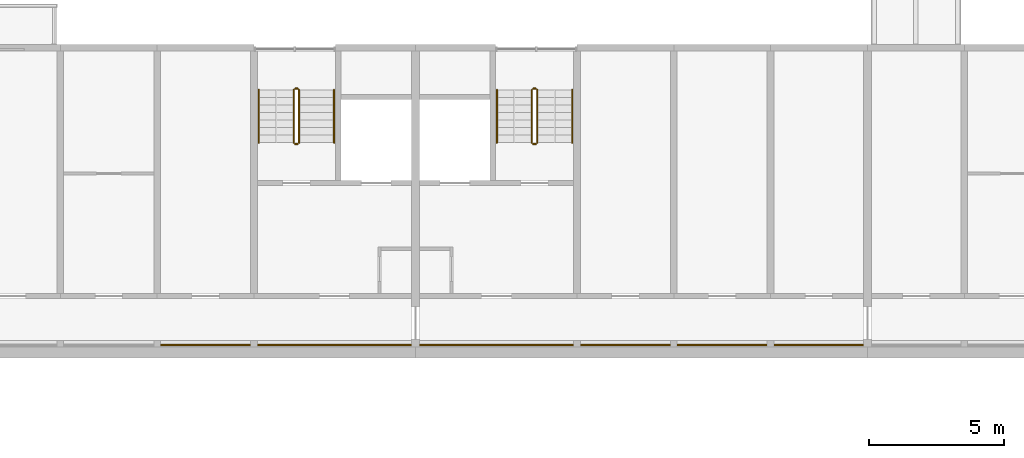
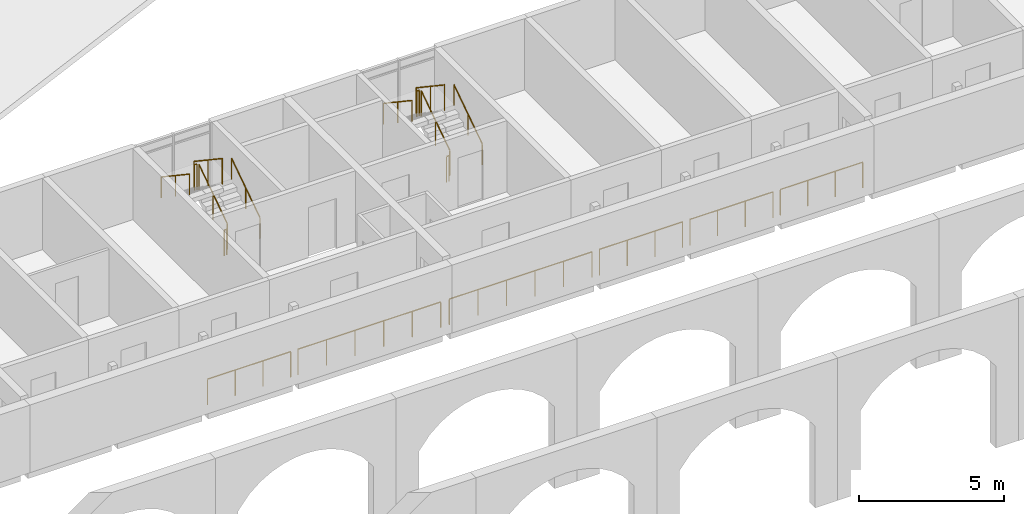
# One storey, part 102 of 122: 18 railings.
"""IFC4 building model written with IfcOpenShell, lengths in metres."""

from ifc_helpers import new_model, si_unit, direction, frame, origin, origin_2d, place, context, subcontext, project, spatial, circle, extrude, material, type_object, element, save


model = new_model("IFC4")

# Units and contexts
model_context = context("Model", 3, precision=1e-05, world=origin(), true_north=direction((0.0, 1.0)))
body_context = subcontext(model_context, "Body", "Model", "MODEL_VIEW")
ifc_project = project(units=[si_unit("LENGTHUNIT", "METRE"), si_unit("AREAUNIT", "SQUARE_METRE"), si_unit("VOLUMEUNIT", "CUBIC_METRE"), si_unit("PLANEANGLEUNIT", "RADIAN"), si_unit("MASSUNIT", "GRAM", prefix="KILO")], contexts=[model_context])

# Site, building, storey
site_placement = place(None, origin())
site = spatial("IfcSite", under=ifc_project, at=site_placement, CompositionType="ELEMENT")
building_placement = place(site_placement, origin())
building = spatial("IfcBuilding", under=site, at=building_placement, Name="Ridgestep Commons", CompositionType="ELEMENT")
storey_placement = place(building_placement, frame((0.0, 0.0, 3.0)))
storey = spatial("IfcBuildingStorey", under=building, at=storey_placement, Name="L01", CompositionType="ELEMENT", Elevation=3.0)

# Railings
ifc_material_1 = material(Name="Structural steel S355JR galvanised", Category="steel")
railing_type_1 = type_object("IfcRailingType", Name="Passage guard 1100", PredefinedType="GUARDRAIL", material=ifc_material_1)
railing_1_placement = place(storey_placement, frame((36.14599609375, 11.830078125, 0.0)))
element("IfcRailing", 1, at=railing_1_placement, inside=storey, type_object=railing_type_1, Name="Passage guard A 01.7", PredefinedType="GUARDRAIL", context=body_context, shape_type="SweptSolid", body=[
    extrude(circle(Radius=0.02392578125, at=origin_2d()), frame((0.0, 0.0, 1.076171875), z_axis=(1.0, 0.0, 0.0), x_axis=(0.0, 1.0, 0.0)), (0.0, 0.0, 1.0), 3.30810546875),
    extrude(circle(Radius=0.02099609375, at=origin_2d()), origin(), (0.0, 0.0, 1.0), 1.052001953125),
    extrude(circle(Radius=0.02099609375, at=origin_2d()), frame((1.102783203125, 0.0, 0.0)), (0.0, 0.0, 1.0), 1.052001953125),
    extrude(circle(Radius=0.02099609375, at=origin_2d()), frame((2.205322265625, 0.0, 0.0)), (0.0, 0.0, 1.0), 1.052001953125),
    extrude(circle(Radius=0.02099609375, at=origin_2d()), frame((3.30810546875, 0.0, 0.0)), (0.0, 0.0, 1.0), 1.052001953125),
])
railing_2_placement = place(storey_placement, frame((39.74609375, 11.830078125, 0.0)))
element("IfcRailing", 2, at=railing_2_placement, inside=storey, type_object=railing_type_1, Name="Passage guard A 01.8", PredefinedType="GUARDRAIL", context=body_context, shape_type="SweptSolid", body=[
    extrude(circle(Radius=0.02392578125, at=origin_2d()), frame((0.0, 0.0, 1.076171875), z_axis=(1.0, 0.0, 0.0), x_axis=(0.0, 1.0, 0.0)), (0.0, 0.0, 1.0), 5.682861328125),
    extrude(circle(Radius=0.02099609375, at=origin_2d()), origin(), (0.0, 0.0, 1.0), 1.052001953125),
    extrude(circle(Radius=0.02099609375, at=origin_2d()), frame((1.136474609375, 0.0, 0.0)), (0.0, 0.0, 1.0), 1.052001953125),
    extrude(circle(Radius=0.02099609375, at=origin_2d()), frame((2.273193359375, 0.0, 0.0)), (0.0, 0.0, 1.0), 1.052001953125),
    extrude(circle(Radius=0.02099609375, at=origin_2d()), frame((3.40966796875, 0.0, 0.0)), (0.0, 0.0, 1.0), 1.052001953125),
    extrude(circle(Radius=0.02099609375, at=origin_2d()), frame((4.54638671875, 0.0, 0.0)), (0.0, 0.0, 1.0), 1.052001953125),
    extrude(circle(Radius=0.02099609375, at=origin_2d()), frame((5.682861328125, 0.0, 0.0)), (0.0, 0.0, 1.0), 1.052001953125),
])
railing_3_placement = place(storey_placement, frame((45.77099609375, 11.830078125, 0.0)))
element("IfcRailing", 3, at=railing_3_placement, inside=storey, type_object=railing_type_1, Name="Passage guard A 01.9", PredefinedType="GUARDRAIL", context=body_context, shape_type="SweptSolid", body=[
    extrude(circle(Radius=0.02392578125, at=origin_2d()), frame((0.0, 0.0, 1.076171875), z_axis=(1.0, 0.0, 0.0), x_axis=(0.0, 1.0, 0.0)), (0.0, 0.0, 1.0), 5.68310546875),
    extrude(circle(Radius=0.02099609375, at=origin_2d()), origin(), (0.0, 0.0, 1.0), 1.052001953125),
    extrude(circle(Radius=0.02099609375, at=origin_2d()), frame((1.13671875, 0.0, 0.0)), (0.0, 0.0, 1.0), 1.052001953125),
    extrude(circle(Radius=0.02099609375, at=origin_2d()), frame((2.273193359375, 0.0, 0.0)), (0.0, 0.0, 1.0), 1.052001953125),
    extrude(circle(Radius=0.02099609375, at=origin_2d()), frame((3.409912109375, 0.0, 0.0)), (0.0, 0.0, 1.0), 1.052001953125),
    extrude(circle(Radius=0.02099609375, at=origin_2d()), frame((4.54638671875, 0.0, 0.0)), (0.0, 0.0, 1.0), 1.052001953125),
    extrude(circle(Radius=0.02099609375, at=origin_2d()), frame((5.68310546875, 0.0, 0.0)), (0.0, 0.0, 1.0), 1.052001953125),
])
railing_4_placement = place(storey_placement, frame((51.74609375, 11.830078125, 0.0)))
element("IfcRailing", 4, at=railing_4_placement, inside=storey, type_object=railing_type_1, Name="Passage guard A 01.10", PredefinedType="GUARDRAIL", context=body_context, shape_type="SweptSolid", body=[
    extrude(circle(Radius=0.02392578125, at=origin_2d()), frame((0.0, 0.0, 1.076171875), z_axis=(1.0, 0.0, 0.0), x_axis=(0.0, 1.0, 0.0)), (0.0, 0.0, 1.0), 3.307861328125),
    extrude(circle(Radius=0.02099609375, at=origin_2d()), origin(), (0.0, 0.0, 1.0), 1.052001953125),
    extrude(circle(Radius=0.02099609375, at=origin_2d()), frame((1.1025390625, 0.0, 0.0)), (0.0, 0.0, 1.0), 1.052001953125),
    extrude(circle(Radius=0.02099609375, at=origin_2d()), frame((2.205322265625, 0.0, 0.0)), (0.0, 0.0, 1.0), 1.052001953125),
    extrude(circle(Radius=0.02099609375, at=origin_2d()), frame((3.307861328125, 0.0, 0.0)), (0.0, 0.0, 1.0), 1.052001953125),
])
railing_5_placement = place(storey_placement, frame((55.345947265625, 11.830078125, 0.0)))
element("IfcRailing", 5, at=railing_5_placement, inside=storey, type_object=railing_type_1, Name="Passage guard A 01.11", PredefinedType="GUARDRAIL", context=body_context, shape_type="SweptSolid", body=[
    extrude(circle(Radius=0.02392578125, at=origin_2d()), frame((0.0, 0.0, 1.076171875), z_axis=(1.0, 0.0, 0.0), x_axis=(0.0, 1.0, 0.0)), (0.0, 0.0, 1.0), 3.30810546875),
    extrude(circle(Radius=0.02099609375, at=origin_2d()), origin(), (0.0, 0.0, 1.0), 1.052001953125),
    extrude(circle(Radius=0.02099609375, at=origin_2d()), frame((1.102783203125, 0.0, 0.0)), (0.0, 0.0, 1.0), 1.052001953125),
    extrude(circle(Radius=0.02099609375, at=origin_2d()), frame((2.205322265625, 0.0, 0.0)), (0.0, 0.0, 1.0), 1.052001953125),
    extrude(circle(Radius=0.02099609375, at=origin_2d()), frame((3.30810546875, 0.0, 0.0)), (0.0, 0.0, 1.0), 1.052001953125),
])
railing_6_placement = place(storey_placement, frame((58.946044921875, 11.830078125, 0.0)))
element("IfcRailing", 6, at=railing_6_placement, inside=storey, type_object=railing_type_1, Name="Passage guard A 01.12", PredefinedType="GUARDRAIL", context=body_context, shape_type="SweptSolid", body=[
    extrude(circle(Radius=0.02392578125, at=origin_2d()), frame((0.0, 0.0, 1.076171875), z_axis=(1.0, 0.0, 0.0), x_axis=(0.0, 1.0, 0.0)), (0.0, 0.0, 1.0), 3.282958984375),
    extrude(circle(Radius=0.02099609375, at=origin_2d()), origin(), (0.0, 0.0, 1.0), 1.052001953125),
    extrude(circle(Radius=0.02099609375, at=origin_2d()), frame((1.09423828125, 0.0, 0.0)), (0.0, 0.0, 1.0), 1.052001953125),
    extrude(circle(Radius=0.02099609375, at=origin_2d()), frame((2.188720703125, 0.0, 0.0)), (0.0, 0.0, 1.0), 1.052001953125),
    extrude(circle(Radius=0.02099609375, at=origin_2d()), frame((3.282958984375, 0.0, 0.0)), (0.0, 0.0, 1.0), 1.052001953125),
])
ifc_material_2 = material(Name="Structural steel S355JR", Category="steel")
railing_type_2 = type_object("IfcRailingType", Name="Stair guard 1100", PredefinedType="GUARDRAIL", material=ifc_material_2)
railing_7_placement = place(storey_placement, frame((41.27490234375, 19.35009765625, 0.1875)))
element("IfcRailing", 7, at=railing_7_placement, inside=storey, type_object=railing_type_2, Name="L01 A2C stair guard 1", PredefinedType="GUARDRAIL", context=body_context, shape_type="SweptSolid", body=[
    extrude(circle(Radius=0.02392578125, at=origin_2d()), frame((0.0, 0.0, 1.076171875), z_axis=(0.0, 0.830902050051, 0.556418712142), x_axis=(-1.0, 0.0, 0.0)), (0.0, 0.0, 1.0), 2.35888671875),
    extrude(circle(Radius=0.02099609375, at=origin_2d()), origin(), (0.0, 0.0, 1.0), 1.052001953125),
    extrude(circle(Radius=0.02099609375, at=origin_2d()), frame((0.0, 0.97998046875, 0.65625)), (0.0, 0.0, 1.0), 1.052001953125),
    extrude(circle(Radius=0.02099609375, at=origin_2d()), frame((0.0, 1.9599609375, 1.3125)), (0.0, 0.0, 1.0), 1.052001953125),
])
railing_8_placement = place(storey_placement, frame((41.22509765625, 21.360107421875, 1.5)))
element("IfcRailing", 8, at=railing_8_placement, inside=storey, type_object=railing_type_2, Name="L01 A2C stair guard 2", PredefinedType="GUARDRAIL", context=body_context, shape_type="SweptSolid", body=[
    extrude(circle(Radius=0.02392578125, at=origin_2d()), frame((0.0, 0.0, 1.076171875), z_axis=(-1.0, 0.0, 0.0), x_axis=(0.0, -1.0, 0.0)), (0.0, 0.0, 1.0), 0.10009765625),
    extrude(circle(Radius=0.02099609375, at=origin_2d()), origin(), (0.0, 0.0, 1.0), 1.052001953125),
    extrude(circle(Radius=0.02099609375, at=origin_2d()), frame((-0.10009765625, 0.0, 0.0)), (0.0, 0.0, 1.0), 1.052001953125),
])
railing_9_placement = place(storey_placement, frame((41.074951171875, 21.31005859375, 1.6875)))
element("IfcRailing", 9, at=railing_9_placement, inside=storey, type_object=railing_type_2, Name="L01 A2C stair guard 3", PredefinedType="GUARDRAIL", context=body_context, shape_type="SweptSolid", body=[
    extrude(circle(Radius=0.02392578125, at=origin_2d()), frame((0.0, 0.0, 1.076171875), z_axis=(0.0, -0.830902050051, 0.556418712142), x_axis=(1.0, 0.0, 0.0)), (0.0, 0.0, 1.0), 2.35888671875),
    extrude(circle(Radius=0.02099609375, at=origin_2d()), origin(), (0.0, 0.0, 1.0), 1.052001953125),
    extrude(circle(Radius=0.02099609375, at=origin_2d()), frame((0.0, -0.97998046875, 0.65625)), (0.0, 0.0, 1.0), 1.052001953125),
    extrude(circle(Radius=0.02099609375, at=origin_2d()), frame((0.0, -1.9599609375, 1.3125)), (0.0, 0.0, 1.0), 1.052001953125),
])
railing_10_placement = place(storey_placement, frame((41.22509765625, 19.300048828125, 0.0)))
element("IfcRailing", 10, at=railing_10_placement, inside=storey, type_object=railing_type_2, Name="L01 A2C stair guard 4", PredefinedType="GUARDRAIL", context=body_context, shape_type="SweptSolid", body=[
    extrude(circle(Radius=0.02392578125, at=origin_2d()), frame((0.0, 0.0, 1.076171875), z_axis=(-1.0, 0.0, 0.0), x_axis=(0.0, -1.0, 0.0)), (0.0, 0.0, 1.0), 0.10009765625),
    extrude(circle(Radius=0.02099609375, at=origin_2d()), origin(), (0.0, 0.0, 1.0), 1.052001953125),
    extrude(circle(Radius=0.02099609375, at=origin_2d()), frame((-0.10009765625, 0.0, 0.0)), (0.0, 0.0, 1.0), 1.052001953125),
])
railing_11_placement = place(storey_placement, frame((50.125, 19.35009765625, 0.1875)))
element("IfcRailing", 11, at=railing_11_placement, inside=storey, type_object=railing_type_2, Name="L01 A3C stair guard 1", PredefinedType="GUARDRAIL", context=body_context, shape_type="SweptSolid", body=[
    extrude(circle(Radius=0.02392578125, at=origin_2d()), frame((0.0, 0.0, 1.076171875), z_axis=(0.0, 0.830902050051, 0.556418712142), x_axis=(-1.0, 0.0, 0.0)), (0.0, 0.0, 1.0), 2.35888671875),
    extrude(circle(Radius=0.02099609375, at=origin_2d()), origin(), (0.0, 0.0, 1.0), 1.052001953125),
    extrude(circle(Radius=0.02099609375, at=origin_2d()), frame((0.0, 0.97998046875, 0.65625)), (0.0, 0.0, 1.0), 1.052001953125),
    extrude(circle(Radius=0.02099609375, at=origin_2d()), frame((0.0, 1.9599609375, 1.3125)), (0.0, 0.0, 1.0), 1.052001953125),
])
railing_12_placement = place(storey_placement, frame((50.074951171875, 21.360107421875, 1.5)))
element("IfcRailing", 12, at=railing_12_placement, inside=storey, type_object=railing_type_2, Name="L01 A3C stair guard 2", PredefinedType="GUARDRAIL", context=body_context, shape_type="SweptSolid", body=[
    extrude(circle(Radius=0.02392578125, at=origin_2d()), frame((0.0, 0.0, 1.076171875), z_axis=(-1.0, 0.0, 0.0), x_axis=(0.0, -1.0, 0.0)), (0.0, 0.0, 1.0), 0.099853515625),
    extrude(circle(Radius=0.02099609375, at=origin_2d()), origin(), (0.0, 0.0, 1.0), 1.052001953125),
    extrude(circle(Radius=0.02099609375, at=origin_2d()), frame((-0.099853515625, 0.0, 0.0)), (0.0, 0.0, 1.0), 1.052001953125),
])
railing_13_placement = place(storey_placement, frame((49.925048828125, 21.31005859375, 1.6875)))
element("IfcRailing", 13, at=railing_13_placement, inside=storey, type_object=railing_type_2, Name="L01 A3C stair guard 3", PredefinedType="GUARDRAIL", context=body_context, shape_type="SweptSolid", body=[
    extrude(circle(Radius=0.02392578125, at=origin_2d()), frame((0.0, 0.0, 1.076171875), z_axis=(0.0, -0.830902050051, 0.556418712142), x_axis=(1.0, 0.0, 0.0)), (0.0, 0.0, 1.0), 2.35888671875),
    extrude(circle(Radius=0.02099609375, at=origin_2d()), origin(), (0.0, 0.0, 1.0), 1.052001953125),
    extrude(circle(Radius=0.02099609375, at=origin_2d()), frame((0.0, -0.97998046875, 0.65625)), (0.0, 0.0, 1.0), 1.052001953125),
    extrude(circle(Radius=0.02099609375, at=origin_2d()), frame((0.0, -1.9599609375, 1.3125)), (0.0, 0.0, 1.0), 1.052001953125),
])
railing_14_placement = place(storey_placement, frame((50.074951171875, 19.300048828125, 0.0)))
element("IfcRailing", 14, at=railing_14_placement, inside=storey, type_object=railing_type_2, Name="L01 A3C stair guard 4", PredefinedType="GUARDRAIL", context=body_context, shape_type="SweptSolid", body=[
    extrude(circle(Radius=0.02392578125, at=origin_2d()), frame((0.0, 0.0, 1.076171875), z_axis=(-1.0, 0.0, 0.0), x_axis=(0.0, -1.0, 0.0)), (0.0, 0.0, 1.0), 0.099853515625),
    extrude(circle(Radius=0.02099609375, at=origin_2d()), origin(), (0.0, 0.0, 1.0), 1.052001953125),
    extrude(circle(Radius=0.02099609375, at=origin_2d()), frame((-0.099853515625, 0.0, 0.0)), (0.0, 0.0, 1.0), 1.052001953125),
])
ifc_material_3 = material(Name="Structural steel S355JR", Category="steel")
railing_type_3 = type_object("IfcRailingType", Name="Stair handrail 900", PredefinedType="HANDRAIL", material=ifc_material_3)
railing_15_placement = place(storey_placement, frame((42.574951171875, 19.35009765625, 0.1875)))
element("IfcRailing", 15, at=railing_15_placement, inside=storey, type_object=railing_type_3, Name="L01 A2C stair handrail 1", PredefinedType="HANDRAIL", context=body_context, shape_type="SweptSolid", body=[
    extrude(circle(Radius=0.02392578125, at=origin_2d()), frame((0.0, 0.0, 0.8759765625), z_axis=(0.0, 0.830902050051, 0.556418712142), x_axis=(-1.0, 0.0, 0.0)), (0.0, 0.0, 1.0), 2.35888671875),
    extrude(circle(Radius=0.02099609375, at=origin_2d()), origin(), (0.0, 0.0, 1.0), 0.851806640625),
    extrude(circle(Radius=0.02099609375, at=origin_2d()), frame((0.0, 0.97998046875, 0.65625)), (0.0, 0.0, 1.0), 0.851806640625),
    extrude(circle(Radius=0.02099609375, at=origin_2d()), frame((0.0, 1.9599609375, 1.3125)), (0.0, 0.0, 1.0), 0.851806640625),
])
railing_16_placement = place(storey_placement, frame((39.77490234375, 21.31005859375, 1.6875)))
element("IfcRailing", 16, at=railing_16_placement, inside=storey, type_object=railing_type_3, Name="L01 A2C stair handrail 2", PredefinedType="HANDRAIL", context=body_context, shape_type="SweptSolid", body=[
    extrude(circle(Radius=0.02392578125, at=origin_2d()), frame((0.0, 0.0, 0.8759765625), z_axis=(0.0, -0.830902050051, 0.556418712142), x_axis=(1.0, 0.0, 0.0)), (0.0, 0.0, 1.0), 2.35888671875),
    extrude(circle(Radius=0.02099609375, at=origin_2d()), origin(), (0.0, 0.0, 1.0), 0.851806640625),
    extrude(circle(Radius=0.02099609375, at=origin_2d()), frame((0.0, -0.97998046875, 0.65625)), (0.0, 0.0, 1.0), 0.851806640625),
    extrude(circle(Radius=0.02099609375, at=origin_2d()), frame((0.0, -1.9599609375, 1.3125)), (0.0, 0.0, 1.0), 0.851806640625),
])
railing_17_placement = place(storey_placement, frame((51.425048828125, 19.35009765625, 0.1875)))
element("IfcRailing", 17, at=railing_17_placement, inside=storey, type_object=railing_type_3, Name="L01 A3C stair handrail 1", PredefinedType="HANDRAIL", context=body_context, shape_type="SweptSolid", body=[
    extrude(circle(Radius=0.02392578125, at=origin_2d()), frame((0.0, 0.0, 0.8759765625), z_axis=(0.0, 0.830902050051, 0.556418712142), x_axis=(-1.0, 0.0, 0.0)), (0.0, 0.0, 1.0), 2.35888671875),
    extrude(circle(Radius=0.02099609375, at=origin_2d()), origin(), (0.0, 0.0, 1.0), 0.851806640625),
    extrude(circle(Radius=0.02099609375, at=origin_2d()), frame((0.0, 0.97998046875, 0.65625)), (0.0, 0.0, 1.0), 0.851806640625),
    extrude(circle(Radius=0.02099609375, at=origin_2d()), frame((0.0, 1.9599609375, 1.3125)), (0.0, 0.0, 1.0), 0.851806640625),
])
railing_18_placement = place(storey_placement, frame((48.625, 21.31005859375, 1.6875)))
element("IfcRailing", 18, at=railing_18_placement, inside=storey, type_object=railing_type_3, Name="L01 A3C stair handrail 2", PredefinedType="HANDRAIL", context=body_context, shape_type="SweptSolid", body=[
    extrude(circle(Radius=0.02392578125, at=origin_2d()), frame((0.0, 0.0, 0.8759765625), z_axis=(0.0, -0.830902050051, 0.556418712142), x_axis=(1.0, 0.0, 0.0)), (0.0, 0.0, 1.0), 2.35888671875),
    extrude(circle(Radius=0.02099609375, at=origin_2d()), origin(), (0.0, 0.0, 1.0), 0.851806640625),
    extrude(circle(Radius=0.02099609375, at=origin_2d()), frame((0.0, -0.97998046875, 0.65625)), (0.0, 0.0, 1.0), 0.851806640625),
    extrude(circle(Radius=0.02099609375, at=origin_2d()), frame((0.0, -1.9599609375, 1.3125)), (0.0, 0.0, 1.0), 0.851806640625),
])

save(model, "model.ifc")
